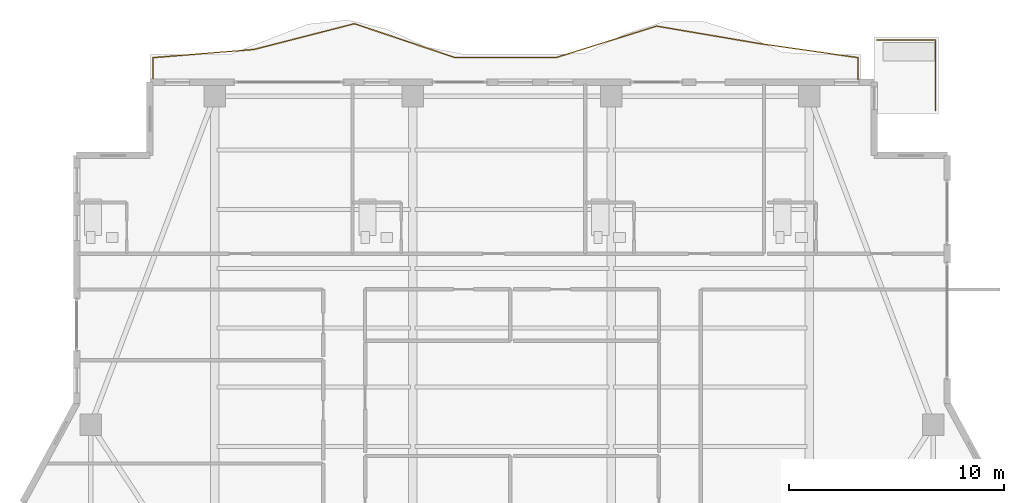
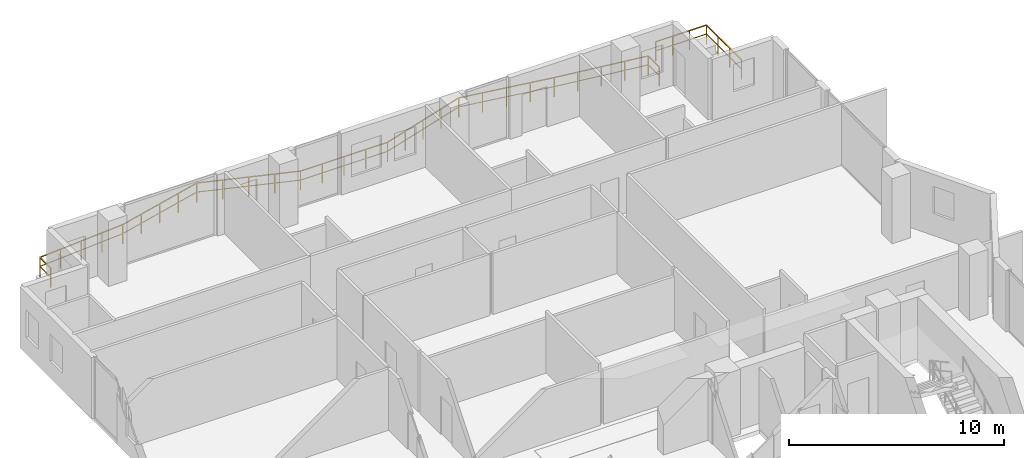
# One storey, part 22 of 23: 2 railings.
"""IFC4 building model written with IfcOpenShell, lengths in metres."""

import ifcopenshell
import ifcopenshell.guid

model = None  # the IFC model being written
_history = None  # IfcOwnerHistory: only IFC2X3 demands one
_inside = {}  # id of a spatial element -> (the spatial element, [elements in it])
_under = {}  # id of a project, library or spatial element -> (it, [spatial elements below it])
_declared = {}  # id of a project -> (the project, [libraries it declares])
_typed = {}  # id of a type object -> (the type object, [elements of that type])
_made_of = {}  # id of a material, layer set ... -> (it, [elements and type objects made of it])


def new_model(schema):
    """Start an empty IFC model of exactly this schema.

    Asked for "IFC4X3", IfcOpenShell would pick the latest addendum, in which some entities
    have other attributes; the version numbers below select the first issue.
    IFC2X3 requires an IfcOwnerHistory on every rooted entity: one is made here for all.
    """
    global model, _history
    if schema == "IFC4X3":
        model = ifcopenshell.file(schema_version=(4, 3, 0, 0))
    else:
        model = ifcopenshell.file(schema=schema)
    _inside.clear()
    _under.clear()
    _declared.clear()
    _typed.clear()
    _made_of.clear()
    _history = None
    if model.schema == "IFC2X3":
        org = make("IfcOrganization", Name="unknown")
        user = make(
            "IfcPersonAndOrganization",
            ThePerson=make("IfcPerson", FamilyName="unknown"),
            TheOrganization=org,
        )
        app = make(
            "IfcApplication",
            ApplicationDeveloper=org,
            Version="unknown",
            ApplicationFullName="unknown",
            ApplicationIdentifier="unknown",
        )
        _history = make(
            "IfcOwnerHistory",
            OwningUser=user,
            OwningApplication=app,
            ChangeAction="ADDED",
            CreationDate=0,
        )
    return model


def make(cls, **values):
    """One entity of the class cls with the attributes given. An attribute that is None is left unset."""
    return model.create_entity(
        cls, **{name: value for name, value in values.items() if value is not None}
    )


def rooted(cls, **values):
    """An entity with a GlobalId (a new one), such as an element, a storey or a relation."""
    return make(cls, GlobalId=ifcopenshell.guid.new(), OwnerHistory=_history, **values)


def si_unit(unit_type, name, prefix=None):
    """IfcSIUnit, for example si_unit("LENGTHUNIT", "METRE", prefix="MILLI")."""
    return make("IfcSIUnit", UnitType=unit_type, Prefix=prefix, Name=name)


def assignment(units):
    """IfcUnitAssignment: the units of a project."""
    return None if units is None else make("IfcUnitAssignment", Units=units)


def point(xyz):
    """IfcCartesianPoint."""
    return None if xyz is None else make("IfcCartesianPoint", Coordinates=xyz)


def direction(xyz):
    """IfcDirection."""
    return None if xyz is None else make("IfcDirection", DirectionRatios=xyz)


def frame(location, z_axis=None, x_axis=None):
    """IfcAxis2Placement3D, a coordinate frame: its origin and axes. An axis left out is left unset."""
    return make(
        "IfcAxis2Placement3D",
        Location=point(location),
        Axis=direction(z_axis),
        RefDirection=direction(x_axis),
    )


def frame_2d(location, x_axis=None):
    """IfcAxis2Placement2D, a coordinate frame in the plane: its origin and x axis."""
    return make(
        "IfcAxis2Placement2D", Location=point(location), RefDirection=direction(x_axis)
    )


def origin():
    """The frame at (0, 0, 0) with its axes left unset."""
    return frame((0.0, 0.0, 0.0))


def origin_2d():
    """The frame at (0, 0) in the plane with its x axis left unset."""
    return frame_2d((0.0, 0.0))


def place(relative_to, where):
    """IfcLocalPlacement: puts the frame where relative to a parent placement (None: the world)."""
    return make(
        "IfcLocalPlacement", PlacementRelTo=relative_to, RelativePlacement=where
    )


def context(
    kind, dimensions, precision=None, world=None, true_north=None, identifier=None
):
    """IfcGeometricRepresentationContext, for example the 3D "Model" context."""
    return make(
        "IfcGeometricRepresentationContext",
        ContextIdentifier=identifier,
        ContextType=kind,
        CoordinateSpaceDimension=dimensions,
        Precision=precision,
        WorldCoordinateSystem=world,
        TrueNorth=true_north,
    )


def subcontext(parent, identifier, kind, view, scale=None):
    """IfcGeometricRepresentationSubContext, for example "Body" below "Model"."""
    return make(
        "IfcGeometricRepresentationSubContext",
        ContextIdentifier=identifier,
        ContextType=kind,
        ParentContext=parent,
        TargetScale=scale,
        TargetView=view,
    )


def project(units=None, contexts=None):
    """IfcProject with its units and contexts."""
    return rooted(
        "IfcProject",
        Name="project",
        RepresentationContexts=contexts,
        UnitsInContext=assignment(units),
    )


def spatial(cls, under=None, at=None, **own):
    """A site, building, storey or space (cls), placed at a placement, below another one or the project."""
    s = rooted(cls, ObjectPlacement=at, **own)
    if under is not None:
        _under.setdefault(under.id(), (under, []))[1].append(s)
    return s


def profile(cls, at=None, kind="AREA", **sizes):
    """A parametric profile (cls). Its sizes go by their IFC names, for example OverallWidth=200.0."""
    return make(cls, ProfileType=kind, Position=at, **sizes)


def rectangle(**sizes):
    """IfcRectangleProfileDef."""
    return profile("IfcRectangleProfileDef", **sizes)


def extrude(swept, where, along, depth):
    """IfcExtrudedAreaSolid: the profile swept, set in the frame where, extruded along a direction by depth."""
    return make(
        "IfcExtrudedAreaSolid",
        SweptArea=swept,
        Position=where,
        ExtrudedDirection=direction(along),
        Depth=depth,
    )


def shape(context_of_items, identifier, shape_type, items):
    """IfcShapeRepresentation: the items that make up one representation, for example the "Body"."""
    return make(
        "IfcShapeRepresentation",
        ContextOfItems=context_of_items,
        RepresentationIdentifier=identifier,
        RepresentationType=shape_type,
        Items=items,
    )


def material(Name=None, Category=None):
    """IfcMaterial."""
    return make("IfcMaterial", Name=Name, Category=Category)


def made_of(thing, what):
    """Note that an element or type object is made of a material, layer set ...; save() writes the relation."""
    if what is not None:
        _made_of.setdefault(what.id(), (what, []))[1].append(thing)
    return thing


def type_object(cls, material=None, **own):
    """A type object (cls), such as IfcWallType, which elements share."""
    return made_of(rooted(cls, **own), material)


def element(
    cls,
    number,
    at=None,
    inside=None,
    cuts=None,
    type_object=None,
    material=None,
    context=None,
    identifier="Body",
    shape_type=None,
    held_by="IfcProductDefinitionShape",
    body=None,
    shapes=None,
    **own,
):
    """One element of the class cls, such as IfcWall. Its Tag is "e" and its number.

    at: its placement. inside: the storey or other place that contains it. cuts: it is an
    opening in that element (IfcRelVoidsElement). A single representation is given by context,
    identifier, shape_type and body (its items); several are given by shapes. held_by: the class
    of the entity that holds the representations. save() writes the other relations.
    """
    e = rooted(cls, Tag="e%d" % number, ObjectPlacement=at, **own)
    if body is not None:
        shapes = [shape(context, identifier, shape_type, body)]
    if shapes is not None:
        e.Representation = make(held_by, Representations=shapes)
    if inside is not None:
        _inside.setdefault(inside.id(), (inside, []))[1].append(e)
    if cuts is not None:
        rooted(
            "IfcRelVoidsElement", RelatingBuildingElement=cuts, RelatedOpeningElement=e
        )
    if type_object is not None:
        _typed.setdefault(type_object.id(), (type_object, []))[1].append(e)
    return made_of(e, material)


def aggregate(whole, parts):
    """IfcRelAggregates: a whole, such as a stair, and the parts it consists of."""
    return rooted("IfcRelAggregates", RelatingObject=whole, RelatedObjects=parts)


def save(model, path):
    """Write the relations noted so far, then the file.

    IfcRelAggregates (storeys below a building ...), IfcRelContainedInSpatialStructure (elements
    in a storey), IfcRelDefinesByType, IfcRelAssociatesMaterial and IfcRelDeclares: one each for
    every whole, place, type object, material and project.
    """
    for whole, parts in _under.values():
        aggregate(whole, parts)
    for where, things in _inside.values():
        rooted(
            "IfcRelContainedInSpatialStructure",
            RelatedElements=things,
            RelatingStructure=where,
        )
    for kind, things in _typed.values():
        rooted("IfcRelDefinesByType", RelatedObjects=things, RelatingType=kind)
    for what, things in _made_of.values():
        rooted("IfcRelAssociatesMaterial", RelatedObjects=things, RelatingMaterial=what)
    for by, libraries in _declared.values():
        rooted("IfcRelDeclares", RelatingContext=by, RelatedDefinitions=libraries)
    model.write(path)


model = new_model("IFC4")

# Units and contexts
model_context = context("Model", 3, precision=1e-05, world=origin(), true_north=direction((0.0, 1.0)))
body_context = subcontext(model_context, "Body", "Model", "MODEL_VIEW")
ifc_project = project(units=[si_unit("LENGTHUNIT", "METRE"), si_unit("AREAUNIT", "SQUARE_METRE"), si_unit("VOLUMEUNIT", "CUBIC_METRE"), si_unit("PLANEANGLEUNIT", "RADIAN"), si_unit("MASSUNIT", "GRAM", prefix="KILO")], contexts=[model_context])

# Site, building, storey
site_placement = place(None, origin())
site = spatial("IfcSite", under=ifc_project, at=site_placement, CompositionType="ELEMENT")
building_placement = place(site_placement, origin())
building = spatial("IfcBuilding", under=site, at=building_placement, Name="Zuhayl Quay Hotel", CompositionType="ELEMENT")
storey_placement = place(building_placement, frame((0.0, 0.0, 261.85009765625)))
storey = spatial("IfcBuildingStorey", under=building, at=storey_placement, Name="L66", CompositionType="ELEMENT", Elevation=261.85009765625)

# Railings
ifc_material = material(Name="Anodised Aluminium and Laminated Glass", Category="aluminium")
railing_type = type_object("IfcRailingType", Name="RL_EXT_BAL_1100", PredefinedType="BALUSTRADE", material=ifc_material)
railing_1_placement = place(storey_placement, frame((-16.659912109375, 39.1201171875, 0.0)))
element("IfcRailing", 1, at=railing_1_placement, inside=storey, type_object=railing_type, Name="L66 Balcony and Terrace Guard GR_L66_BAL_N", PredefinedType="BALUSTRADE", context=body_context, shape_type="SweptSolid", body=[
    extrude(rectangle(XDim=0.048095703125, YDim=0.048095703125, at=origin_2d()), frame((0.0, 0.0, 1.09619140625), z_axis=(0.0, 1.0, 0.0), x_axis=(-1.0, 0.0, 0.0)), (0.0, 0.0, 1.0), 1.019775390625),
    extrude(rectangle(XDim=0.0361328125, YDim=0.0361328125, at=origin_2d()), frame((0.0, 0.0, 0.58251953125), z_axis=(0.0, 1.0, 0.0), x_axis=(-1.0, 0.0, 0.0)), (0.0, 0.0, 1.0), 1.019775390625),
    extrude(rectangle(XDim=0.048095703125, YDim=0.048095703125, at=origin_2d()), frame((0.0, 1.019775390625, 1.09619140625), z_axis=(0.996759916975, 0.080434245886, 0.0), x_axis=(-0.080434245886, 0.996759916975, 0.0)), (0.0, 0.0, 1.0), 4.689453125),
    extrude(rectangle(XDim=0.0361328125, YDim=0.0361328125, at=origin_2d()), frame((0.0, 1.019775390625, 0.58251953125), z_axis=(0.996759916975, 0.080434245886, 0.0), x_axis=(-0.080434245886, 0.996759916975, 0.0)), (0.0, 0.0, 1.0), 4.689453125),
    extrude(rectangle(XDim=0.048095703125, YDim=0.048095703125, at=origin_2d()), frame((4.67431640625, 1.39697265625, 1.09619140625), z_axis=(0.968715346622, 0.248174489459, 0.0), x_axis=(-0.248174489459, 0.968715346622, 0.0)), (0.0, 0.0, 1.0), 4.8251953125),
    extrude(rectangle(XDim=0.0361328125, YDim=0.0361328125, at=origin_2d()), frame((4.67431640625, 1.39697265625, 0.58251953125), z_axis=(0.968715346622, 0.248174489459, 0.0), x_axis=(-0.248174489459, 0.968715346622, 0.0)), (0.0, 0.0, 1.0), 4.8251953125),
    extrude(rectangle(XDim=0.048095703125, YDim=0.048095703125, at=origin_2d()), frame((9.3486328125, 2.594482421875, 1.09619140625), z_axis=(0.947663678601, -0.319270343535, 0.0), x_axis=(0.319270343535, 0.947663678601, 0.0)), (0.0, 0.0, 1.0), 4.93212890625),
    extrude(rectangle(XDim=0.0361328125, YDim=0.0361328125, at=origin_2d()), frame((9.3486328125, 2.594482421875, 0.58251953125), z_axis=(0.947663678601, -0.319270343535, 0.0), x_axis=(0.319270343535, 0.947663678601, 0.0)), (0.0, 0.0, 1.0), 4.93212890625),
    extrude(rectangle(XDim=0.048095703125, YDim=0.048095703125, at=origin_2d()), frame((14.022705078125, 1.019775390625, 1.09619140625), z_axis=(1.0, 0.0, 0.0), x_axis=(0.0, 1.0, 0.0)), (0.0, 0.0, 1.0), 4.67431640625),
    extrude(rectangle(XDim=0.0361328125, YDim=0.0361328125, at=origin_2d()), frame((14.022705078125, 1.019775390625, 0.58251953125), z_axis=(1.0, 0.0, 0.0), x_axis=(0.0, 1.0, 0.0)), (0.0, 0.0, 1.0), 4.67431640625),
    extrude(rectangle(XDim=0.048095703125, YDim=0.048095703125, at=origin_2d()), frame((18.697021484375, 1.019775390625, 1.09619140625), z_axis=(0.954311314307, 0.298814182036, 0.0), x_axis=(-0.298814182036, 0.954311314307, 0.0)), (0.0, 0.0, 1.0), 4.898193359375),
    extrude(rectangle(XDim=0.0361328125, YDim=0.0361328125, at=origin_2d()), frame((18.697021484375, 1.019775390625, 0.58251953125), z_axis=(0.954311314307, 0.298814182036, 0.0), x_axis=(-0.298814182036, 0.954311314307, 0.0)), (0.0, 0.0, 1.0), 4.898193359375),
    extrude(rectangle(XDim=0.048095703125, YDim=0.048095703125, at=origin_2d()), frame((23.371337890625, 2.4833984375, 1.09619140625), z_axis=(0.985845805942, -0.167654546336, 0.0), x_axis=(0.167654546336, 0.985845805942, 0.0)), (0.0, 0.0, 1.0), 4.741455078125),
    extrude(rectangle(XDim=0.0361328125, YDim=0.0361328125, at=origin_2d()), frame((23.371337890625, 2.4833984375, 0.58251953125), z_axis=(0.985845805942, -0.167654546336, 0.0), x_axis=(0.167654546336, 0.985845805942, 0.0)), (0.0, 0.0, 1.0), 4.741455078125),
    extrude(rectangle(XDim=0.048095703125, YDim=0.048095703125, at=origin_2d()), frame((28.045654296875, 1.6884765625, 1.09619140625), z_axis=(0.9899215543, -0.141616793964, 0.0), x_axis=(0.141616793964, 0.9899215543, 0.0)), (0.0, 0.0, 1.0), 4.721923828125),
    extrude(rectangle(XDim=0.0361328125, YDim=0.0361328125, at=origin_2d()), frame((28.045654296875, 1.6884765625, 0.58251953125), z_axis=(0.9899215543, -0.141616793964, 0.0), x_axis=(0.141616793964, 0.9899215543, 0.0)), (0.0, 0.0, 1.0), 4.721923828125),
    extrude(rectangle(XDim=0.048095703125, YDim=0.048095703125, at=origin_2d()), frame((32.719970703125, 1.019775390625, 1.09619140625), z_axis=(0.0, -1.0, 0.0), x_axis=(1.0, 0.0, 0.0)), (0.0, 0.0, 1.0), 1.019775390625),
    extrude(rectangle(XDim=0.0361328125, YDim=0.0361328125, at=origin_2d()), frame((32.719970703125, 1.019775390625, 0.58251953125), z_axis=(0.0, -1.0, 0.0), x_axis=(1.0, 0.0, 0.0)), (0.0, 0.0, 1.0), 1.019775390625),
    extrude(rectangle(XDim=0.0419921875, YDim=0.0419921875, at=origin_2d()), origin(), (0.0, 0.0, 1.0), 1.072021484375),
    extrude(rectangle(XDim=0.0419921875, YDim=0.0419921875, at=origin_2d()), frame((0.0, 1.019775390625, 0.0)), (0.0, 0.0, 1.0), 1.072021484375),
    extrude(rectangle(XDim=0.0419921875, YDim=0.0419921875, at=origin_2d()), frame((1.16845703125, 1.114013671875, 0.0)), (0.0, 0.0, 1.0), 1.072021484375),
    extrude(rectangle(XDim=0.0419921875, YDim=0.0419921875, at=origin_2d()), frame((2.337158203125, 1.20849609375, 0.0)), (0.0, 0.0, 1.0), 1.072021484375),
    extrude(rectangle(XDim=0.0419921875, YDim=0.0419921875, at=origin_2d()), frame((3.505859375, 1.302734375, 0.0)), (0.0, 0.0, 1.0), 1.072021484375),
    extrude(rectangle(XDim=0.0419921875, YDim=0.0419921875, at=origin_2d()), frame((4.67431640625, 1.39697265625, 0.0)), (0.0, 0.0, 1.0), 1.072021484375),
    extrude(rectangle(XDim=0.0419921875, YDim=0.0419921875, at=origin_2d()), frame((5.8427734375, 1.6962890625, 0.0)), (0.0, 0.0, 1.0), 1.072021484375),
    extrude(rectangle(XDim=0.0419921875, YDim=0.0419921875, at=origin_2d()), frame((7.011474609375, 1.99560546875, 0.0)), (0.0, 0.0, 1.0), 1.072021484375),
    extrude(rectangle(XDim=0.0419921875, YDim=0.0419921875, at=origin_2d()), frame((8.18017578125, 2.295166015625, 0.0)), (0.0, 0.0, 1.0), 1.072021484375),
    extrude(rectangle(XDim=0.0419921875, YDim=0.0419921875, at=origin_2d()), frame((9.3486328125, 2.594482421875, 0.0)), (0.0, 0.0, 1.0), 1.072021484375),
    extrude(rectangle(XDim=0.0419921875, YDim=0.0419921875, at=origin_2d()), frame((10.51708984375, 2.20068359375, 0.0)), (0.0, 0.0, 1.0), 1.072021484375),
    extrude(rectangle(XDim=0.0419921875, YDim=0.0419921875, at=origin_2d()), frame((11.685546875, 1.80712890625, 0.0)), (0.0, 0.0, 1.0), 1.072021484375),
    extrude(rectangle(XDim=0.0419921875, YDim=0.0419921875, at=origin_2d()), frame((12.854248046875, 1.41357421875, 0.0)), (0.0, 0.0, 1.0), 1.072021484375),
    extrude(rectangle(XDim=0.0419921875, YDim=0.0419921875, at=origin_2d()), frame((14.022705078125, 1.019775390625, 0.0)), (0.0, 0.0, 1.0), 1.072021484375),
    extrude(rectangle(XDim=0.0419921875, YDim=0.0419921875, at=origin_2d()), frame((15.19140625, 1.019775390625, 0.0)), (0.0, 0.0, 1.0), 1.072021484375),
    extrude(rectangle(XDim=0.0419921875, YDim=0.0419921875, at=origin_2d()), frame((16.35986328125, 1.019775390625, 0.0)), (0.0, 0.0, 1.0), 1.072021484375),
    extrude(rectangle(XDim=0.0419921875, YDim=0.0419921875, at=origin_2d()), frame((17.5283203125, 1.019775390625, 0.0)), (0.0, 0.0, 1.0), 1.072021484375),
    extrude(rectangle(XDim=0.0419921875, YDim=0.0419921875, at=origin_2d()), frame((18.697021484375, 1.019775390625, 0.0)), (0.0, 0.0, 1.0), 1.072021484375),
    extrude(rectangle(XDim=0.0419921875, YDim=0.0419921875, at=origin_2d()), frame((19.86572265625, 1.3857421875, 0.0)), (0.0, 0.0, 1.0), 1.072021484375),
    extrude(rectangle(XDim=0.0419921875, YDim=0.0419921875, at=origin_2d()), frame((21.0341796875, 1.75146484375, 0.0)), (0.0, 0.0, 1.0), 1.072021484375),
    extrude(rectangle(XDim=0.0419921875, YDim=0.0419921875, at=origin_2d()), frame((22.20263671875, 2.117431640625, 0.0)), (0.0, 0.0, 1.0), 1.072021484375),
    extrude(rectangle(XDim=0.0419921875, YDim=0.0419921875, at=origin_2d()), frame((23.371337890625, 2.4833984375, 0.0)), (0.0, 0.0, 1.0), 1.072021484375),
    extrude(rectangle(XDim=0.0419921875, YDim=0.0419921875, at=origin_2d()), frame((24.5400390625, 2.28466796875, 0.0)), (0.0, 0.0, 1.0), 1.072021484375),
    extrude(rectangle(XDim=0.0419921875, YDim=0.0419921875, at=origin_2d()), frame((25.70849609375, 2.0859375, 0.0)), (0.0, 0.0, 1.0), 1.072021484375),
    extrude(rectangle(XDim=0.0419921875, YDim=0.0419921875, at=origin_2d()), frame((26.876953125, 1.88720703125, 0.0)), (0.0, 0.0, 1.0), 1.072021484375),
    extrude(rectangle(XDim=0.0419921875, YDim=0.0419921875, at=origin_2d()), frame((28.045654296875, 1.6884765625, 0.0)), (0.0, 0.0, 1.0), 1.072021484375),
    extrude(rectangle(XDim=0.0419921875, YDim=0.0419921875, at=origin_2d()), frame((29.21435546875, 1.521240234375, 0.0)), (0.0, 0.0, 1.0), 1.072021484375),
    extrude(rectangle(XDim=0.0419921875, YDim=0.0419921875, at=origin_2d()), frame((30.3828125, 1.35400390625, 0.0)), (0.0, 0.0, 1.0), 1.072021484375),
    extrude(rectangle(XDim=0.0419921875, YDim=0.0419921875, at=origin_2d()), frame((31.55126953125, 1.18701171875, 0.0)), (0.0, 0.0, 1.0), 1.072021484375),
    extrude(rectangle(XDim=0.0419921875, YDim=0.0419921875, at=origin_2d()), frame((32.719970703125, 1.019775390625, 0.0)), (0.0, 0.0, 1.0), 1.072021484375),
    extrude(rectangle(XDim=0.0419921875, YDim=0.0419921875, at=origin_2d()), frame((32.719970703125, 0.0, 0.0)), (0.0, 0.0, 1.0), 1.072021484375),
])
railing_2_placement = place(storey_placement, frame((19.659912109375, 37.68994140625, 0.0)))
element("IfcRailing", 2, at=railing_2_placement, inside=storey, type_object=railing_type, Name="L66 Balcony and Terrace Guard GR_L66_SPIRAL_NE", PredefinedType="BALUSTRADE", context=body_context, shape_type="SweptSolid", body=[
    extrude(rectangle(XDim=0.048095703125, YDim=0.048095703125, at=origin_2d()), frame((0.0, 0.0, 1.09619140625), z_axis=(0.0, 1.0, 0.0), x_axis=(-1.0, 0.0, 0.0)), (0.0, 0.0, 1.0), 3.27001953125),
    extrude(rectangle(XDim=0.0361328125, YDim=0.0361328125, at=origin_2d()), frame((0.0, 0.0, 0.58251953125), z_axis=(0.0, 1.0, 0.0), x_axis=(-1.0, 0.0, 0.0)), (0.0, 0.0, 1.0), 3.27001953125),
    extrude(rectangle(XDim=0.048095703125, YDim=0.048095703125, at=origin_2d()), frame((0.0, 3.27001953125, 1.09619140625), z_axis=(-1.0, 0.0, 0.0), x_axis=(0.0, -1.0, 0.0)), (0.0, 0.0, 1.0), 2.719970703125),
    extrude(rectangle(XDim=0.0361328125, YDim=0.0361328125, at=origin_2d()), frame((0.0, 3.27001953125, 0.58251953125), z_axis=(-1.0, 0.0, 0.0), x_axis=(0.0, -1.0, 0.0)), (0.0, 0.0, 1.0), 2.719970703125),
    extrude(rectangle(XDim=0.0419921875, YDim=0.0419921875, at=origin_2d()), origin(), (0.0, 0.0, 1.0), 1.072021484375),
    extrude(rectangle(XDim=0.0419921875, YDim=0.0419921875, at=origin_2d()), frame((0.0, 1.090087890625, 0.0)), (0.0, 0.0, 1.0), 1.072021484375),
    extrude(rectangle(XDim=0.0419921875, YDim=0.0419921875, at=origin_2d()), frame((0.0, 2.179931640625, 0.0)), (0.0, 0.0, 1.0), 1.072021484375),
    extrude(rectangle(XDim=0.0419921875, YDim=0.0419921875, at=origin_2d()), frame((0.0, 3.27001953125, 0.0)), (0.0, 0.0, 1.0), 1.072021484375),
    extrude(rectangle(XDim=0.0419921875, YDim=0.0419921875, at=origin_2d()), frame((-0.90673828125, 3.27001953125, 0.0)), (0.0, 0.0, 1.0), 1.072021484375),
    extrude(rectangle(XDim=0.0419921875, YDim=0.0419921875, at=origin_2d()), frame((-1.813232421875, 3.27001953125, 0.0)), (0.0, 0.0, 1.0), 1.072021484375),
    extrude(rectangle(XDim=0.0419921875, YDim=0.0419921875, at=origin_2d()), frame((-2.719970703125, 3.27001953125, 0.0)), (0.0, 0.0, 1.0), 1.072021484375),
])

save(model, "model.ifc")
